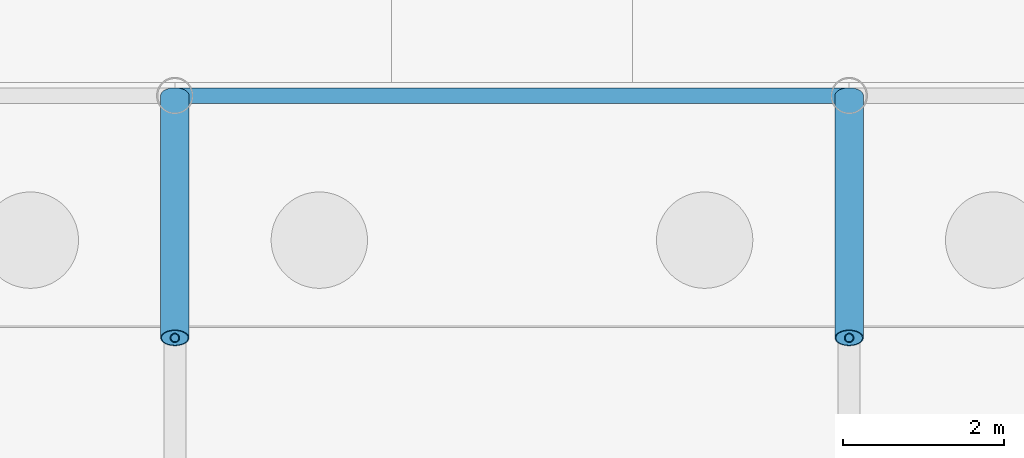
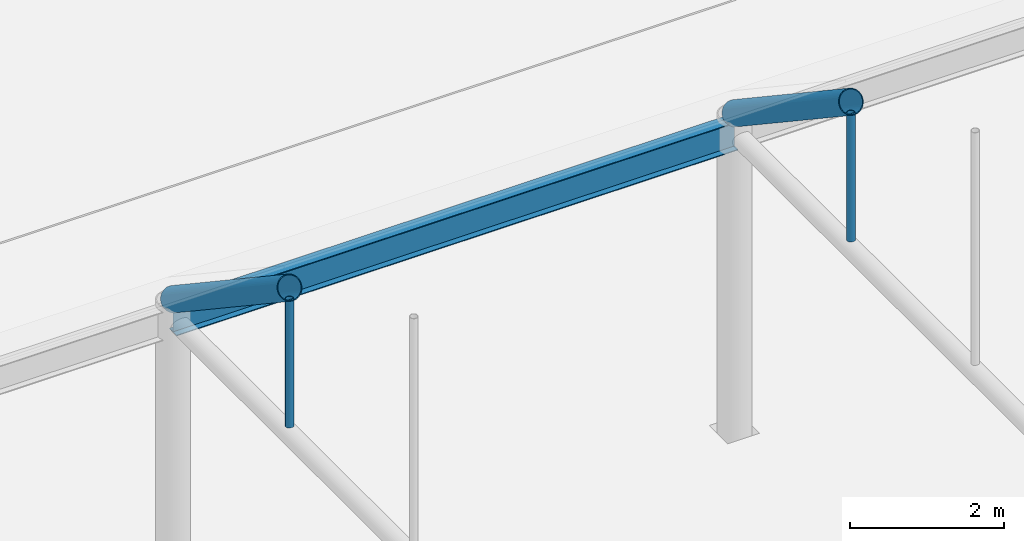
# One storey, part 57 of 212: 4 members, 1 beam.
"""IFC4 building model written with IfcOpenShell, lengths in metres."""

import ifcopenshell
import ifcopenshell.guid

model = None  # the IFC model being written
_history = None  # IfcOwnerHistory: only IFC2X3 demands one
_inside = {}  # id of a spatial element -> (the spatial element, [elements in it])
_under = {}  # id of a project, library or spatial element -> (it, [spatial elements below it])
_declared = {}  # id of a project -> (the project, [libraries it declares])
_typed = {}  # id of a type object -> (the type object, [elements of that type])
_made_of = {}  # id of a material, layer set ... -> (it, [elements and type objects made of it])


def new_model(schema):
    """Start an empty IFC model of exactly this schema.

    Asked for "IFC4X3", IfcOpenShell would pick the latest addendum, in which some entities
    have other attributes; the version numbers below select the first issue.
    IFC2X3 requires an IfcOwnerHistory on every rooted entity: one is made here for all.
    """
    global model, _history
    if schema == "IFC4X3":
        model = ifcopenshell.file(schema_version=(4, 3, 0, 0))
    else:
        model = ifcopenshell.file(schema=schema)
    _inside.clear()
    _under.clear()
    _declared.clear()
    _typed.clear()
    _made_of.clear()
    _history = None
    if model.schema == "IFC2X3":
        org = make("IfcOrganization", Name="unknown")
        user = make(
            "IfcPersonAndOrganization",
            ThePerson=make("IfcPerson", FamilyName="unknown"),
            TheOrganization=org,
        )
        app = make(
            "IfcApplication",
            ApplicationDeveloper=org,
            Version="unknown",
            ApplicationFullName="unknown",
            ApplicationIdentifier="unknown",
        )
        _history = make(
            "IfcOwnerHistory",
            OwningUser=user,
            OwningApplication=app,
            ChangeAction="ADDED",
            CreationDate=0,
        )
    return model


def make(cls, **values):
    """One entity of the class cls with the attributes given. An attribute that is None is left unset."""
    return model.create_entity(
        cls, **{name: value for name, value in values.items() if value is not None}
    )


def rooted(cls, **values):
    """An entity with a GlobalId (a new one), such as an element, a storey or a relation."""
    return make(cls, GlobalId=ifcopenshell.guid.new(), OwnerHistory=_history, **values)


def si_unit(unit_type, name, prefix=None):
    """IfcSIUnit, for example si_unit("LENGTHUNIT", "METRE", prefix="MILLI")."""
    return make("IfcSIUnit", UnitType=unit_type, Prefix=prefix, Name=name)


def assignment(units):
    """IfcUnitAssignment: the units of a project."""
    return None if units is None else make("IfcUnitAssignment", Units=units)


def point(xyz):
    """IfcCartesianPoint."""
    return None if xyz is None else make("IfcCartesianPoint", Coordinates=xyz)


def direction(xyz):
    """IfcDirection."""
    return None if xyz is None else make("IfcDirection", DirectionRatios=xyz)


def frame(location, z_axis=None, x_axis=None):
    """IfcAxis2Placement3D, a coordinate frame: its origin and axes. An axis left out is left unset."""
    return make(
        "IfcAxis2Placement3D",
        Location=point(location),
        Axis=direction(z_axis),
        RefDirection=direction(x_axis),
    )


def frame_2d(location, x_axis=None):
    """IfcAxis2Placement2D, a coordinate frame in the plane: its origin and x axis."""
    return make(
        "IfcAxis2Placement2D", Location=point(location), RefDirection=direction(x_axis)
    )


def origin():
    """The frame at (0, 0, 0) with its axes left unset."""
    return frame((0.0, 0.0, 0.0))


def origin_2d():
    """The frame at (0, 0) in the plane with its x axis left unset."""
    return frame_2d((0.0, 0.0))


def place(relative_to, where):
    """IfcLocalPlacement: puts the frame where relative to a parent placement (None: the world)."""
    return make(
        "IfcLocalPlacement", PlacementRelTo=relative_to, RelativePlacement=where
    )


def context(
    kind, dimensions, precision=None, world=None, true_north=None, identifier=None
):
    """IfcGeometricRepresentationContext, for example the 3D "Model" context."""
    return make(
        "IfcGeometricRepresentationContext",
        ContextIdentifier=identifier,
        ContextType=kind,
        CoordinateSpaceDimension=dimensions,
        Precision=precision,
        WorldCoordinateSystem=world,
        TrueNorth=true_north,
    )


def subcontext(parent, identifier, kind, view, scale=None):
    """IfcGeometricRepresentationSubContext, for example "Body" below "Model"."""
    return make(
        "IfcGeometricRepresentationSubContext",
        ContextIdentifier=identifier,
        ContextType=kind,
        ParentContext=parent,
        TargetScale=scale,
        TargetView=view,
    )


def project(units=None, contexts=None):
    """IfcProject with its units and contexts."""
    return rooted(
        "IfcProject",
        Name="project",
        RepresentationContexts=contexts,
        UnitsInContext=assignment(units),
    )


def spatial(cls, under=None, at=None, **own):
    """A site, building, storey or space (cls), placed at a placement, below another one or the project."""
    s = rooted(cls, ObjectPlacement=at, **own)
    if under is not None:
        _under.setdefault(under.id(), (under, []))[1].append(s)
    return s


def profile(cls, at=None, kind="AREA", **sizes):
    """A parametric profile (cls). Its sizes go by their IFC names, for example OverallWidth=200.0."""
    return make(cls, ProfileType=kind, Position=at, **sizes)


def hollow_circle(**sizes):
    """IfcCircleHollowProfileDef."""
    return profile("IfcCircleHollowProfileDef", **sizes)


def i_section(**sizes):
    """IfcIShapeProfileDef."""
    return profile("IfcIShapeProfileDef", **sizes)


def extrude(swept, where, along, depth):
    """IfcExtrudedAreaSolid: the profile swept, set in the frame where, extruded along a direction by depth."""
    return make(
        "IfcExtrudedAreaSolid",
        SweptArea=swept,
        Position=where,
        ExtrudedDirection=direction(along),
        Depth=depth,
    )


def shape(context_of_items, identifier, shape_type, items):
    """IfcShapeRepresentation: the items that make up one representation, for example the "Body"."""
    return make(
        "IfcShapeRepresentation",
        ContextOfItems=context_of_items,
        RepresentationIdentifier=identifier,
        RepresentationType=shape_type,
        Items=items,
    )


def material(Name=None, Category=None):
    """IfcMaterial."""
    return make("IfcMaterial", Name=Name, Category=Category)


def material_profile(
    of_material, cross_section, Name=None, Category=None, Priority=None
):
    """IfcMaterialProfile: a cross section and its material."""
    return make(
        "IfcMaterialProfile",
        Name=Name,
        Material=of_material,
        Profile=cross_section,
        Priority=Priority,
        Category=Category,
    )


def profile_set(profiles, Name=None, composite=None):
    """IfcMaterialProfileSet."""
    return make(
        "IfcMaterialProfileSet",
        Name=Name,
        MaterialProfiles=profiles,
        CompositeProfile=composite,
    )


def made_of(thing, what):
    """Note that an element or type object is made of a material, layer set ...; save() writes the relation."""
    if what is not None:
        _made_of.setdefault(what.id(), (what, []))[1].append(thing)
    return thing


def type_object(cls, material=None, **own):
    """A type object (cls), such as IfcWallType, which elements share."""
    return made_of(rooted(cls, **own), material)


def element(
    cls,
    number,
    at=None,
    inside=None,
    cuts=None,
    type_object=None,
    material=None,
    context=None,
    identifier="Body",
    shape_type=None,
    held_by="IfcProductDefinitionShape",
    body=None,
    shapes=None,
    **own,
):
    """One element of the class cls, such as IfcWall. Its Tag is "e" and its number.

    at: its placement. inside: the storey or other place that contains it. cuts: it is an
    opening in that element (IfcRelVoidsElement). A single representation is given by context,
    identifier, shape_type and body (its items); several are given by shapes. held_by: the class
    of the entity that holds the representations. save() writes the other relations.
    """
    e = rooted(cls, Tag="e%d" % number, ObjectPlacement=at, **own)
    if body is not None:
        shapes = [shape(context, identifier, shape_type, body)]
    if shapes is not None:
        e.Representation = make(held_by, Representations=shapes)
    if inside is not None:
        _inside.setdefault(inside.id(), (inside, []))[1].append(e)
    if cuts is not None:
        rooted(
            "IfcRelVoidsElement", RelatingBuildingElement=cuts, RelatedOpeningElement=e
        )
    if type_object is not None:
        _typed.setdefault(type_object.id(), (type_object, []))[1].append(e)
    return made_of(e, material)


def aggregate(whole, parts):
    """IfcRelAggregates: a whole, such as a stair, and the parts it consists of."""
    return rooted("IfcRelAggregates", RelatingObject=whole, RelatedObjects=parts)


def save(model, path):
    """Write the relations noted so far, then the file.

    IfcRelAggregates (storeys below a building ...), IfcRelContainedInSpatialStructure (elements
    in a storey), IfcRelDefinesByType, IfcRelAssociatesMaterial and IfcRelDeclares: one each for
    every whole, place, type object, material and project.
    """
    for whole, parts in _under.values():
        aggregate(whole, parts)
    for where, things in _inside.values():
        rooted(
            "IfcRelContainedInSpatialStructure",
            RelatedElements=things,
            RelatingStructure=where,
        )
    for kind, things in _typed.values():
        rooted("IfcRelDefinesByType", RelatedObjects=things, RelatingType=kind)
    for what, things in _made_of.values():
        rooted("IfcRelAssociatesMaterial", RelatedObjects=things, RelatingMaterial=what)
    for by, libraries in _declared.values():
        rooted("IfcRelDeclares", RelatingContext=by, RelatedDefinitions=libraries)
    model.write(path)


model = new_model("IFC4")

# Units and contexts
model_context = context("Model", 3, precision=1e-05, world=origin(), true_north=direction((0.0, 1.0)))
body_context = subcontext(model_context, "Body", "Model", "MODEL_VIEW")
ifc_project = project(units=[si_unit("LENGTHUNIT", "METRE"), si_unit("AREAUNIT", "SQUARE_METRE"), si_unit("VOLUMEUNIT", "CUBIC_METRE"), si_unit("PLANEANGLEUNIT", "RADIAN"), si_unit("MASSUNIT", "GRAM", prefix="KILO")], contexts=[model_context])

# Site, building, storey
site_placement = place(None, origin())
site = spatial("IfcSite", under=ifc_project, at=site_placement, CompositionType="ELEMENT")
building_placement = place(site_placement, origin())
building = spatial("IfcBuilding", under=site, at=building_placement, Name="Catenary Quay Ferry Terminal", CompositionType="ELEMENT")
storey_placement = place(building_placement, origin())
storey = spatial("IfcBuildingStorey", under=building, at=storey_placement, Name="L00", CompositionType="ELEMENT", Elevation=0.0)

# Beam
ifc_material_1 = material(Name="Steel S355", Category="steel")
ifc_material_profile_1 = material_profile(ifc_material_1, i_section(OverallWidth=0.18994140625, OverallDepth=0.453369140625, WebThickness=0.008544921875, FlangeThickness=0.0126953125, at=origin_2d()), Name="UB 457x191x67")
ifc_profile_set_1 = profile_set([ifc_material_profile_1], Name="Steel S355")
beam_type = type_object("IfcBeamType", Name="B1 UB 457x191x67", PredefinedType="BEAM", material=ifc_profile_set_1)
beam_placement = place(storey_placement, frame((33.60009765625, 50.39990234375, 4.699951171875), z_axis=(1.0, 0.0, 0.0), x_axis=(0.0, 1.0, 0.0)))
element("IfcBeam", 1, at=beam_placement, inside=storey, type_object=beam_type, Name="Eaves beam B-CA7-3", PredefinedType="BEAM", context=body_context, shape_type="SweptSolid", body=[
    extrude(i_section(OverallWidth=0.18994140625, OverallDepth=0.453369140625, WebThickness=0.008544921875, FlangeThickness=0.0126953125, at=origin_2d()), origin(), (0.0, 0.0, 1.0), 8.39990234375),
])

# Members
ifc_material_2 = material(Name="Steel S355", Category="steel")
ifc_material_profile_2 = material_profile(ifc_material_2, hollow_circle(Radius=0.05712890625, WallThickness=0.00634765625, at=origin_2d()), Name="CHS 114.3x6.3")
ifc_profile_set_2 = profile_set([ifc_material_profile_2], Name="Steel S355")
member_type_1 = type_object("IfcMemberType", Name="HG1 CHS 114.3x6.3", PredefinedType="POST", material=ifc_profile_set_2)
for number, where, z_axis, x_axis, name in (
    (2, (33.60009765625, 47.382080078125, 4.830078125), (0.0, 0.0, 1.0), (1.0, 0.0, 0.0), "Hanger CA-03-09"),
    (3, (42.0, 47.382080078125, 4.830078125), (0.0, 0.0, 1.0), (1.0, 0.0, 0.0), "Hanger CA-04-09"),
):
    element("IfcMember", number, at=place(storey_placement, frame(where, z_axis=z_axis, x_axis=x_axis)), inside=storey, type_object=member_type_1, Name=name, PredefinedType="POST", context=body_context, shape_type="SweptSolid", body=[
        extrude(hollow_circle(Radius=0.05712890625, WallThickness=0.00634765625, at=origin_2d()), origin(), (0.0, 0.0, 1.0), 2.010986328125),
    ])
ifc_material_3 = material(Name="Steel S355", Category="steel")
ifc_material_profile_3 = material_profile(ifc_material_3, hollow_circle(Radius=0.177734375, WallThickness=0.012451171875, at=origin_2d()), Name="CHS 355.6x12.5")
ifc_profile_set_3 = profile_set([ifc_material_profile_3], Name="Steel S355")
member_type_2 = type_object("IfcMemberType", Name="VR1 CHS 355.6x12.5", PredefinedType="RAFTER", material=ifc_profile_set_3)
for number, where, z_axis, x_axis, name in (
    (4, (33.60009765625, 47.382080078125, 7.012939453125), (0.0, 0.831915666545, -0.554902084837), (-1.0, 0.0, 0.0), "rib CA-03-10"),
    (5, (42.0, 47.382080078125, 7.012939453125), (0.0, 0.831915666545, -0.554902084837), (-1.0, 0.0, 0.0), "rib CA-04-10"),
):
    element("IfcMember", number, at=place(storey_placement, frame(where, z_axis=z_axis, x_axis=x_axis)), inside=storey, type_object=member_type_2, Name=name, PredefinedType="RAFTER", context=body_context, shape_type="SweptSolid", body=[
        extrude(hollow_circle(Radius=0.177734375, WallThickness=0.012451171875, at=origin_2d()), origin(), (0.0, 0.0, 1.0), 3.62744140625),
    ])

save(model, "model.ifc")
